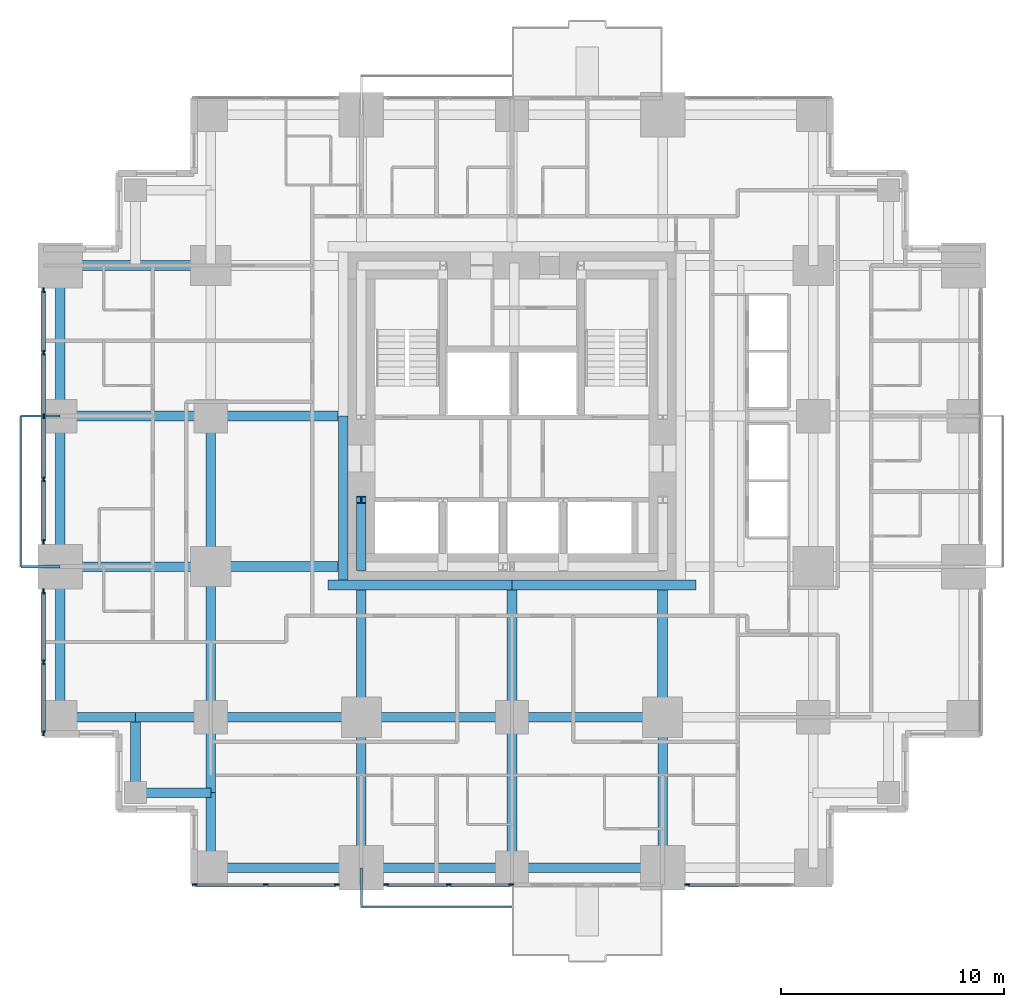
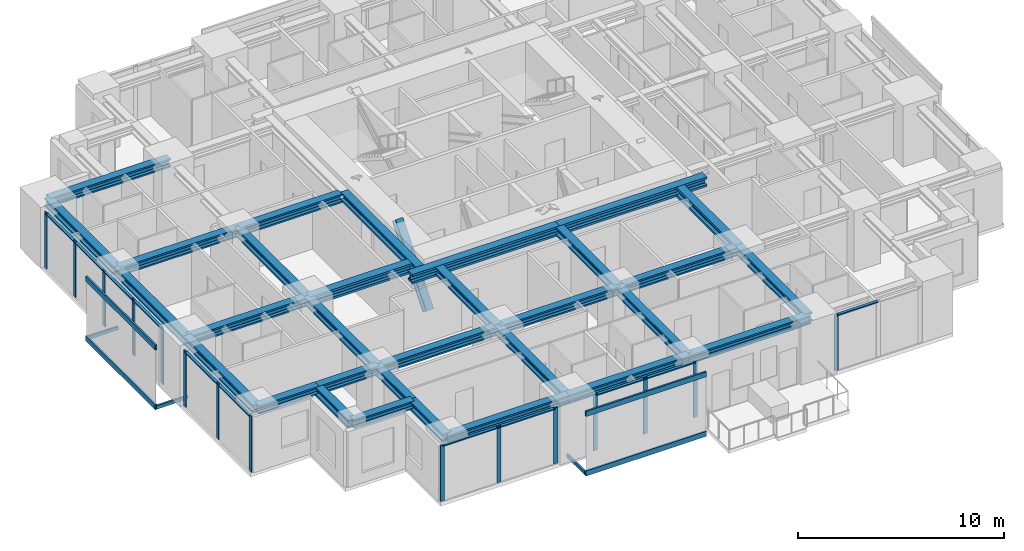
# One storey, part 2 of 12: 34 members, 31 beams, 5 elements without a shape of their own.
"""IFC4 building model written with IfcOpenShell, lengths in metres."""

from ifc_helpers import new_model, si_unit, direction, frame, origin, origin_2d, place, context, subcontext, project, spatial, rectangle, hollow_rectangle, i_section, extrude, material, material_profile, profile_set, type_object, element, aggregate, save


model = new_model("IFC4")

# Units and contexts
model_context = context("Model", 3, precision=1e-05, world=origin(), true_north=direction((0.0, 1.0)))
body_context = subcontext(model_context, "Body", "Model", "MODEL_VIEW")
ifc_project = project(units=[si_unit("LENGTHUNIT", "METRE"), si_unit("AREAUNIT", "SQUARE_METRE"), si_unit("VOLUMEUNIT", "CUBIC_METRE"), si_unit("PLANEANGLEUNIT", "RADIAN"), si_unit("MASSUNIT", "GRAM", prefix="KILO")], contexts=[model_context])

# Site, building, storey
site_placement = place(None, origin())
site = spatial("IfcSite", under=ifc_project, at=site_placement, CompositionType="ELEMENT")
building_placement = place(site_placement, origin())
building = spatial("IfcBuilding", under=site, at=building_placement, Name="Nyansa Garden Tower", CompositionType="ELEMENT")
storey_placement = place(building_placement, frame((0.0, 0.0, 134.10009765625)))
storey = spatial("IfcBuildingStorey", under=building, at=storey_placement, Name="L36", CompositionType="ELEMENT", Elevation=134.10009765625)

# Curtain wall, members
ifc_material_1 = material(Name="Black anodised aluminium, dark tinted double glazing", Category="aluminium")
curtain_wall_type = type_object("IfcCurtainWallType", Name="Inner skin curtain wall ISW-B", PredefinedType="USERDEFINED", material=ifc_material_1)
curtain_wall_1_placement = place(storey_placement, origin())
curtain_wall_1 = element("IfcCurtainWall", 1, at=curtain_wall_1_placement, inside=storey, type_object=curtain_wall_type, Name="Inner skin curtain wall L36 W", ObjectType="UNITISED CURTAIN WALL", PredefinedType="USERDEFINED")
ifc_material_2 = material(Name="Black anodised aluminium", Category="aluminium")
ifc_material_profile_1 = material_profile(ifc_material_2, rectangle(XDim=0.06494140625, YDim=0.22509765625, at=origin_2d()), Name="Mullion 225x65")
ifc_profile_set_1 = profile_set([ifc_material_profile_1], Name="Black anodised aluminium")
member_type_1 = type_object("IfcMemberType", Name="Mullion ISW-B 225x65", PredefinedType="MULLION", material=ifc_profile_set_1)
member_1_placement = place(storey_placement, frame((-0.75, 25.887451171875, 0.0), z_axis=(0.0, 0.0, 1.0), x_axis=(1.0, 0.0, 0.0)))
member_1 = element("IfcMember", 2, at=member_1_placement, type_object=member_type_1, Name="ISW-B mullion 1", PredefinedType="MULLION", context=body_context, shape_type="SweptSolid", body=[
    extrude(rectangle(XDim=0.06494140625, YDim=0.22509765625, at=origin_2d()), origin(), (0.0, 0.0, 1.0), 3.2998046875),
])
member_2_placement = place(storey_placement, frame((-0.75, 23.0849609375, 0.0), z_axis=(0.0, 0.0, 1.0), x_axis=(1.0, 0.0, 0.0)))
member_2 = element("IfcMember", 3, at=member_2_placement, type_object=member_type_1, Name="ISW-B mullion 2", PredefinedType="MULLION", context=body_context, shape_type="SweptSolid", body=[
    extrude(rectangle(XDim=0.06494140625, YDim=0.22509765625, at=origin_2d()), origin(), (0.0, 0.0, 1.0), 3.2998046875),
])
member_3_placement = place(storey_placement, frame((-0.75, 20.25, 0.0), z_axis=(0.0, 0.0, 1.0), x_axis=(1.0, 0.0, 0.0)))
member_3 = element("IfcMember", 4, at=member_3_placement, type_object=member_type_1, Name="ISW-B mullion 3", PredefinedType="MULLION", context=body_context, shape_type="SweptSolid", body=[
    extrude(rectangle(XDim=0.06494140625, YDim=0.22509765625, at=origin_2d()), origin(), (0.0, 0.0, 1.0), 3.2998046875),
])
member_4_placement = place(storey_placement, frame((-0.75, 17.4150390625, 0.0), z_axis=(0.0, 0.0, 1.0), x_axis=(1.0, 0.0, 0.0)))
member_4 = element("IfcMember", 5, at=member_4_placement, type_object=member_type_1, Name="ISW-B mullion 4", PredefinedType="MULLION", context=body_context, shape_type="SweptSolid", body=[
    extrude(rectangle(XDim=0.06494140625, YDim=0.22509765625, at=origin_2d()), origin(), (0.0, 0.0, 1.0), 3.2998046875),
])
member_5_placement = place(storey_placement, frame((-0.75, 14.612548828125, 0.0), z_axis=(0.0, 0.0, 1.0), x_axis=(1.0, 0.0, 0.0)))
member_5 = element("IfcMember", 6, at=member_5_placement, type_object=member_type_1, Name="ISW-B mullion 5", PredefinedType="MULLION", context=body_context, shape_type="SweptSolid", body=[
    extrude(rectangle(XDim=0.06494140625, YDim=0.22509765625, at=origin_2d()), origin(), (0.0, 0.0, 1.0), 3.2998046875),
])

curtain_wall_2_placement = place(storey_placement, origin())
curtain_wall_2 = element("IfcCurtainWall", 7, at=curtain_wall_2_placement, inside=storey, type_object=curtain_wall_type, Name="Inner skin curtain wall L36 W", ObjectType="UNITISED CURTAIN WALL", PredefinedType="USERDEFINED")
member_6_placement = place(storey_placement, frame((-0.75, 12.387451171875, 0.0), z_axis=(0.0, 0.0, 1.0), x_axis=(1.0, 0.0, 0.0)))
member_6 = element("IfcMember", 8, at=member_6_placement, type_object=member_type_1, Name="ISW-B mullion 1", PredefinedType="MULLION", context=body_context, shape_type="SweptSolid", body=[
    extrude(rectangle(XDim=0.06494140625, YDim=0.22509765625, at=origin_2d()), origin(), (0.0, 0.0, 1.0), 3.2998046875),
])
member_7_placement = place(storey_placement, frame((-0.75, 9.2099609375, 0.0), z_axis=(0.0, 0.0, 1.0), x_axis=(1.0, 0.0, 0.0)))
member_7 = element("IfcMember", 9, at=member_7_placement, type_object=member_type_1, Name="ISW-B mullion 2", PredefinedType="MULLION", context=body_context, shape_type="SweptSolid", body=[
    extrude(rectangle(XDim=0.06494140625, YDim=0.22509765625, at=origin_2d()), origin(), (0.0, 0.0, 1.0), 3.2998046875),
])
member_8_placement = place(storey_placement, frame((-0.75, 6.032470703125, 0.0), z_axis=(0.0, 0.0, 1.0), x_axis=(1.0, 0.0, 0.0)))
member_8 = element("IfcMember", 10, at=member_8_placement, type_object=member_type_1, Name="ISW-B mullion 3", PredefinedType="MULLION", context=body_context, shape_type="SweptSolid", body=[
    extrude(rectangle(XDim=0.06494140625, YDim=0.22509765625, at=origin_2d()), origin(), (0.0, 0.0, 1.0), 3.2998046875),
])

curtain_wall_3_placement = place(storey_placement, origin())
curtain_wall_3 = element("IfcCurtainWall", 11, at=curtain_wall_3_placement, inside=storey, type_object=curtain_wall_type, Name="Inner skin curtain wall L36 S", ObjectType="UNITISED CURTAIN WALL", PredefinedType="USERDEFINED")
member_9_placement = place(storey_placement, frame((6.032470703125, -0.75, 0.0), z_axis=(0.0, 0.0, 1.0), x_axis=(0.0, 1.0, 0.0)))
member_9 = element("IfcMember", 12, at=member_9_placement, type_object=member_type_1, Name="ISW-B mullion 1", PredefinedType="MULLION", context=body_context, shape_type="SweptSolid", body=[
    extrude(rectangle(XDim=0.06494140625, YDim=0.22509765625, at=origin_2d()), origin(), (0.0, 0.0, 1.0), 3.2998046875),
])
member_10_placement = place(storey_placement, frame((9.2099609375, -0.75, 0.0), z_axis=(0.0, 0.0, 1.0), x_axis=(0.0, 1.0, 0.0)))
member_10 = element("IfcMember", 13, at=member_10_placement, type_object=member_type_1, Name="ISW-B mullion 2", PredefinedType="MULLION", context=body_context, shape_type="SweptSolid", body=[
    extrude(rectangle(XDim=0.06494140625, YDim=0.22509765625, at=origin_2d()), origin(), (0.0, 0.0, 1.0), 3.2998046875),
])
member_11_placement = place(storey_placement, frame((12.387451171875, -0.75, 0.0), z_axis=(0.0, 0.0, 1.0), x_axis=(0.0, 1.0, 0.0)))
member_11 = element("IfcMember", 14, at=member_11_placement, type_object=member_type_1, Name="ISW-B mullion 3", PredefinedType="MULLION", context=body_context, shape_type="SweptSolid", body=[
    extrude(rectangle(XDim=0.06494140625, YDim=0.22509765625, at=origin_2d()), origin(), (0.0, 0.0, 1.0), 3.2998046875),
])

curtain_wall_4_placement = place(storey_placement, origin())
curtain_wall_4 = element("IfcCurtainWall", 15, at=curtain_wall_4_placement, inside=storey, type_object=curtain_wall_type, Name="Inner skin curtain wall L36 S", ObjectType="UNITISED CURTAIN WALL", PredefinedType="USERDEFINED")
member_12_placement = place(storey_placement, frame((14.612548828125, -0.75, 0.0), z_axis=(0.0, 0.0, 1.0), x_axis=(0.0, 1.0, 0.0)))
member_12 = element("IfcMember", 16, at=member_12_placement, type_object=member_type_1, Name="ISW-B mullion 1", PredefinedType="MULLION", context=body_context, shape_type="SweptSolid", body=[
    extrude(rectangle(XDim=0.06494140625, YDim=0.22509765625, at=origin_2d()), origin(), (0.0, 0.0, 1.0), 3.2998046875),
])
member_13_placement = place(storey_placement, frame((17.4150390625, -0.75, 0.0), z_axis=(0.0, 0.0, 1.0), x_axis=(0.0, 1.0, 0.0)))
member_13 = element("IfcMember", 17, at=member_13_placement, type_object=member_type_1, Name="ISW-B mullion 2", PredefinedType="MULLION", context=body_context, shape_type="SweptSolid", body=[
    extrude(rectangle(XDim=0.06494140625, YDim=0.22509765625, at=origin_2d()), origin(), (0.0, 0.0, 1.0), 3.2998046875),
])
member_14_placement = place(storey_placement, frame((20.217529296875, -0.75, 0.0), z_axis=(0.0, 0.0, 1.0), x_axis=(0.0, 1.0, 0.0)))
member_14 = element("IfcMember", 18, at=member_14_placement, type_object=member_type_1, Name="ISW-B mullion 3", PredefinedType="MULLION", context=body_context, shape_type="SweptSolid", body=[
    extrude(rectangle(XDim=0.06494140625, YDim=0.22509765625, at=origin_2d()), origin(), (0.0, 0.0, 1.0), 3.2998046875),
])

# Curtain wall, member
curtain_wall_5_placement = place(storey_placement, origin())
curtain_wall_5 = element("IfcCurtainWall", 19, at=curtain_wall_5_placement, inside=storey, type_object=curtain_wall_type, Name="Inner skin curtain wall L36 S", ObjectType="UNITISED CURTAIN WALL", PredefinedType="USERDEFINED")
member_15_placement = place(storey_placement, frame((28.112548828125, -0.75, 0.0), z_axis=(0.0, 0.0, 1.0), x_axis=(0.0, 1.0, 0.0)))
member_15 = element("IfcMember", 20, at=member_15_placement, type_object=member_type_1, Name="ISW-B mullion 1", PredefinedType="MULLION", context=body_context, shape_type="SweptSolid", body=[
    extrude(rectangle(XDim=0.06494140625, YDim=0.22509765625, at=origin_2d()), origin(), (0.0, 0.0, 1.0), 3.2998046875),
])

# Members
ifc_material_3 = material(Name="Steel S355, black powder coated", Category="steel")
ifc_material_profile_2 = material_profile(ifc_material_3, hollow_rectangle(XDim=0.10009765625, YDim=0.199951171875, WallThickness=0.008056640625, at=origin_2d()), Name="RHS 200x100x8")
ifc_profile_set_2 = profile_set([ifc_material_profile_2], Name="Steel S355, black powder coated")
member_type_2 = type_object("IfcMemberType", Name="Outer skin bracket arm RHS 200x100x8", PredefinedType="USERDEFINED", material=ifc_profile_set_2)
for number, where, z_axis, x_axis, name in (
    (21, (0.0, 13.5, -0.375), (-1.0, 0.0, 0.0), (0.0, -1.0, 0.0), "Outer skin bracket arm"),
    (22, (0.0, 20.25, -0.375), (-1.0, 0.0, 0.0), (0.0, -1.0, 0.0), "Outer skin bracket arm"),
    (23, (13.5, 0.0, -0.375), (0.0, -1.0, 0.0), (1.0, 0.0, 0.0), "Outer skin bracket arm"),
):
    element("IfcMember", number, at=place(storey_placement, frame(where, z_axis=z_axis, x_axis=x_axis)), inside=storey, type_object=member_type_2, Name=name, ObjectType="OUTER SKIN BRACKET", PredefinedType="USERDEFINED", context=body_context, shape_type="SweptSolid", body=[
        extrude(hollow_rectangle(XDim=0.10009765625, YDim=0.199951171875, WallThickness=0.008056640625, at=origin_2d()), origin(), (0.0, 0.0, 1.0), 1.75),
    ])
ifc_material_4 = material(Name="Steel S355, black powder coated", Category="steel")
ifc_material_profile_3 = material_profile(ifc_material_4, hollow_rectangle(XDim=0.10009765625, YDim=0.300048828125, WallThickness=0.010009765625, at=origin_2d()), Name="RHS 300x100x10")
ifc_profile_set_3 = profile_set([ifc_material_profile_3], Name="Steel S355, black powder coated")
member_type_3 = type_object("IfcMemberType", Name="Outer skin rail RHS 300x100x10", PredefinedType="USERDEFINED", material=ifc_profile_set_3)
for number, where, z_axis, x_axis, name in (
    (24, (-1.75, 13.5, -0.375), (0.0, 1.0, 0.0), (-1.0, 0.0, 0.0), "Outer skin rail L36"),
    (25, (-1.75, 13.5, 3.14990234375), (0.0, 1.0, 0.0), (-1.0, 0.0, 0.0), "Outer skin rail L36 head"),
    (26, (13.5, -1.75, -0.375), (1.0, 0.0, 0.0), (0.0, 1.0, 0.0), "Outer skin rail L36"),
    (27, (13.5, -1.75, 3.14990234375), (1.0, 0.0, 0.0), (0.0, 1.0, 0.0), "Outer skin rail L36 head"),
):
    element("IfcMember", number, at=place(storey_placement, frame(where, z_axis=z_axis, x_axis=x_axis)), inside=storey, type_object=member_type_3, Name=name, ObjectType="OUTER SKIN RAIL", PredefinedType="USERDEFINED", context=body_context, shape_type="SweptSolid", body=[
        extrude(hollow_rectangle(XDim=0.10009765625, YDim=0.300048828125, WallThickness=0.010009765625, at=origin_2d()), origin(), (0.0, 0.0, 1.0), 6.75),
    ])
ifc_material_5 = material(Name="Steel S355", Category="steel")
ifc_material_profile_4 = material_profile(ifc_material_5, i_section(OverallWidth=0.41796875, OverallDepth=0.455078125, WebThickness=0.0419921875, FlangeThickness=0.067626953125, FilletRadius=0.014892578125, at=origin_2d()), Name="HD 400x463")
ifc_profile_set_4 = profile_set([ifc_material_profile_4], Name="Steel S355")
member_type_4 = type_object("IfcMemberType", Name="Perimeter brace HD 400x463", PredefinedType="BRACE", material=ifc_profile_set_4)
member_16_placement = place(storey_placement, frame((13.5, 13.5, 0.0), z_axis=(0.0, 0.640199773186, 0.768208468069), x_axis=(-1.0, 0.0, 0.0)))
element("IfcMember", 28, at=member_16_placement, inside=storey, type_object=member_type_4, Name="Core brace CW5 L36", PredefinedType="BRACE", context=body_context, shape_type="SweptSolid", body=[
    extrude(i_section(OverallWidth=0.41796875, OverallDepth=0.455078125, WebThickness=0.0419921875, FlangeThickness=0.067626953125, FilletRadius=0.014892578125, at=origin_2d()), origin(), (0.0, 0.0, 1.0), 4.68603515625),
])

# Beams
ifc_material_6 = material(Name="Steel S355", Category="steel")
ifc_material_profile_5 = material_profile(ifc_material_6, i_section(OverallWidth=0.431884765625, OverallDepth=0.498046875, WebThickness=0.0556640625, FlangeThickness=0.0888671875, FilletRadius=0.014892578125, at=origin_2d()), Name="HD 400x744")
ifc_profile_set_5 = profile_set([ifc_material_profile_5], Name="Steel S355")
beam_type_1 = type_object("IfcBeamType", Name="Steel beam SBB2-744 HD 400x744", PredefinedType="BEAM", material=ifc_profile_set_5)
beam_1_placement = place(storey_placement, frame((0.0, 20.25, 3.05078125), z_axis=(1.0, 0.0, 0.0), x_axis=(0.0, 1.0, 0.0)))
element("IfcBeam", 29, at=beam_1_placement, inside=storey, type_object=beam_type_1, Name="Steel beam 2/G-3/G L37", PredefinedType="BEAM", context=body_context, shape_type="SweptSolid", body=[
    extrude(i_section(OverallWidth=0.431884765625, OverallDepth=0.498046875, WebThickness=0.0556640625, FlangeThickness=0.0888671875, FilletRadius=0.014892578125, at=origin_2d()), origin(), (0.0, 0.0, 1.0), 6.75),
])
for number, where, z_axis, x_axis, name in (
    (30, (3.375, 6.75, 3.05078125), (1.0, 0.0, 0.0), (0.0, 1.0, 0.0), "Steel beam 3.375/E-3/E L37"),
    (31, (6.75, 3.375, 3.05078125), (0.0, 1.0, 0.0), (-1.0, 0.0, 0.0), "Steel beam 3/3.375-3/E L37"),
):
    element("IfcBeam", number, at=place(storey_placement, frame(where, z_axis=z_axis, x_axis=x_axis)), inside=storey, type_object=beam_type_1, Name=name, PredefinedType="BEAM", context=body_context, shape_type="SweptSolid", body=[
        extrude(i_section(OverallWidth=0.431884765625, OverallDepth=0.498046875, WebThickness=0.0556640625, FlangeThickness=0.0888671875, FilletRadius=0.014892578125, at=origin_2d()), origin(), (0.0, 0.0, 1.0), 3.375),
    ])
for number, where, z_axis, x_axis, name in (
    (32, (6.75, 6.75, 3.05078125), (0.0, 1.0, 0.0), (-1.0, 0.0, 0.0), "Steel beam 3/E-3/F L37"),
    (33, (6.75, 6.75, 3.05078125), (1.0, 0.0, 0.0), (0.0, 1.0, 0.0), "Steel beam 3/E-4/E L37"),
    (34, (6.75, 13.5, 3.05078125), (0.0, 1.0, 0.0), (-1.0, 0.0, 0.0), "Steel beam 3/F-3/G L37"),
):
    element("IfcBeam", number, at=place(storey_placement, frame(where, z_axis=z_axis, x_axis=x_axis)), inside=storey, type_object=beam_type_1, Name=name, PredefinedType="BEAM", context=body_context, shape_type="SweptSolid", body=[
        extrude(i_section(OverallWidth=0.431884765625, OverallDepth=0.498046875, WebThickness=0.0556640625, FlangeThickness=0.0888671875, FilletRadius=0.014892578125, at=origin_2d()), origin(), (0.0, 0.0, 1.0), 6.75),
    ])
beam_2_placement = place(storey_placement, frame((6.75, 20.25, 3.05078125), z_axis=(1.0, 0.0, 0.0), x_axis=(0.0, 1.0, 0.0)))
element("IfcBeam", 35, at=beam_2_placement, inside=storey, type_object=beam_type_1, Name="Steel beam 3/G-12.450/G L37", PredefinedType="BEAM", context=body_context, shape_type="SweptSolid", body=[
    extrude(i_section(OverallWidth=0.431884765625, OverallDepth=0.498046875, WebThickness=0.0556640625, FlangeThickness=0.0888671875, FilletRadius=0.014892578125, at=origin_2d()), origin(), (0.0, 0.0, 1.0), 5.699951171875),
])
for number, where, z_axis, x_axis, name in (
    (36, (13.5, 6.75, 3.05078125), (1.0, 0.0, 0.0), (0.0, 1.0, 0.0), "Steel beam 4/E-5/E L37"),
    (37, (20.25, 0.0, 3.05078125), (0.0, 1.0, 0.0), (-1.0, 0.0, 0.0), "Steel beam 5/D-5/E L37"),
):
    element("IfcBeam", number, at=place(storey_placement, frame(where, z_axis=z_axis, x_axis=x_axis)), inside=storey, type_object=beam_type_1, Name=name, PredefinedType="BEAM", context=body_context, shape_type="SweptSolid", body=[
        extrude(i_section(OverallWidth=0.431884765625, OverallDepth=0.498046875, WebThickness=0.0556640625, FlangeThickness=0.0888671875, FilletRadius=0.014892578125, at=origin_2d()), origin(), (0.0, 0.0, 1.0), 6.75),
    ])
beam_3_placement = place(storey_placement, frame((20.25, 6.75, 3.05078125), z_axis=(0.0, 1.0, 0.0), x_axis=(-1.0, 0.0, 0.0)))
element("IfcBeam", 38, at=beam_3_placement, inside=storey, type_object=beam_type_1, Name="Steel beam 5/E-5/12.450 L37", PredefinedType="BEAM", context=body_context, shape_type="SweptSolid", body=[
    extrude(i_section(OverallWidth=0.431884765625, OverallDepth=0.498046875, WebThickness=0.0556640625, FlangeThickness=0.0888671875, FilletRadius=0.014892578125, at=origin_2d()), origin(), (0.0, 0.0, 1.0), 5.699951171875),
])
beam_4_placement = place(storey_placement, frame((20.25, 6.75, 3.05078125), z_axis=(1.0, 0.0, 0.0), x_axis=(0.0, 1.0, 0.0)))
element("IfcBeam", 39, at=beam_4_placement, inside=storey, type_object=beam_type_1, Name="Steel beam 5/E-6/E L37", PredefinedType="BEAM", context=body_context, shape_type="SweptSolid", body=[
    extrude(i_section(OverallWidth=0.431884765625, OverallDepth=0.498046875, WebThickness=0.0556640625, FlangeThickness=0.0888671875, FilletRadius=0.014892578125, at=origin_2d()), origin(), (0.0, 0.0, 1.0), 6.75),
])
ifc_material_7 = material(Name="Steel S355", Category="steel")
ifc_material_profile_6 = material_profile(ifc_material_7, i_section(OverallWidth=0.431884765625, OverallDepth=0.498046875, WebThickness=0.0556640625, FlangeThickness=0.0888671875, FilletRadius=0.014892578125, at=origin_2d()), Name="HD 400x744")
ifc_profile_set_6 = profile_set([ifc_material_profile_6], Name="Steel S355")
beam_type_2 = type_object("IfcBeamType", Name="Steel beam SEBB-744 HD 400x744", PredefinedType="BEAM", material=ifc_profile_set_6)
for number, where, z_axis, x_axis, name in (
    (40, (0.0, 6.75, 3.05078125), (0.0, 1.0, 0.0), (-1.0, 0.0, 0.0), "Steel edge beam 2/E-2/F L37"),
    (41, (0.0, 13.5, 3.05078125), (0.0, 1.0, 0.0), (-1.0, 0.0, 0.0), "Steel edge beam 2/F-2/G L37"),
    (42, (0.0, 20.25, 3.05078125), (0.0, 1.0, 0.0), (-1.0, 0.0, 0.0), "Steel edge beam 2/G-2/H L37"),
    (43, (6.75, 0.0, 3.05078125), (1.0, 0.0, 0.0), (0.0, 1.0, 0.0), "Steel edge beam 3/D-4/D L37"),
    (44, (13.5, 0.0, 3.05078125), (1.0, 0.0, 0.0), (0.0, 1.0, 0.0), "Steel edge beam 4/D-5/D L37"),
    (45, (20.25, 0.0, 3.05078125), (1.0, 0.0, 0.0), (0.0, 1.0, 0.0), "Steel edge beam 5/D-6/D L37"),
):
    element("IfcBeam", number, at=place(storey_placement, frame(where, z_axis=z_axis, x_axis=x_axis)), inside=storey, type_object=beam_type_2, Name=name, PredefinedType="BEAM", context=body_context, shape_type="SweptSolid", body=[
        extrude(i_section(OverallWidth=0.431884765625, OverallDepth=0.498046875, WebThickness=0.0556640625, FlangeThickness=0.0888671875, FilletRadius=0.014892578125, at=origin_2d()), origin(), (0.0, 0.0, 1.0), 6.75),
    ])
ifc_material_8 = material(Name="Steel S355", Category="steel")
ifc_material_profile_7 = material_profile(ifc_material_8, i_section(OverallWidth=0.431884765625, OverallDepth=0.498046875, WebThickness=0.0556640625, FlangeThickness=0.0888671875, FilletRadius=0.014892578125, at=origin_2d()), Name="HD 400x744")
ifc_profile_set_7 = profile_set([ifc_material_profile_7], Name="Steel S355")
beam_type_3 = type_object("IfcBeamType", Name="Steel beam SEBB2-744 HD 400x744", PredefinedType="BEAM", material=ifc_profile_set_7)
for number, where, z_axis, x_axis, name in (
    (46, (0.0, 6.75, 3.05078125), (1.0, 0.0, 0.0), (0.0, 1.0, 0.0), "Steel edge beam 2/E-3.375/E L37"),
    (47, (6.75, 0.0, 3.05078125), (0.0, 1.0, 0.0), (-1.0, 0.0, 0.0), "Steel edge beam 3/D-3/3.375 L37"),
):
    element("IfcBeam", number, at=place(storey_placement, frame(where, z_axis=z_axis, x_axis=x_axis)), inside=storey, type_object=beam_type_3, Name=name, PredefinedType="BEAM", context=body_context, shape_type="SweptSolid", body=[
        extrude(i_section(OverallWidth=0.431884765625, OverallDepth=0.498046875, WebThickness=0.0556640625, FlangeThickness=0.0888671875, FilletRadius=0.014892578125, at=origin_2d()), origin(), (0.0, 0.0, 1.0), 3.375),
    ])
ifc_material_9 = material(Name="Steel S355", Category="steel")
ifc_material_profile_8 = material_profile(ifc_material_9, i_section(OverallWidth=0.4541015625, OverallDepth=0.569091796875, WebThickness=0.077880859375, FlangeThickness=0.125, FilletRadius=0.014892578125, at=origin_2d()), Name="HD 400x1086")
ifc_profile_set_8 = profile_set([ifc_material_profile_8], Name="Steel S355")
beam_type_4 = type_object("IfcBeamType", Name="Steel beam SLB1-1086 HD 400x1086", PredefinedType="BEAM", material=ifc_profile_set_8)
for number, where, z_axis, x_axis, name in (
    (48, (12.0, 12.673095703125, 3.015380859375), (1.0, 0.0, 0.0), (0.0, 1.0, 0.0), "Steel core ledger beam S.1 L37"),
    (49, (20.25, 12.673095703125, 3.015380859375), (1.0, 0.0, 0.0), (0.0, 1.0, 0.0), "Steel core ledger beam S.2 L37"),
):
    element("IfcBeam", number, at=place(storey_placement, frame(where, z_axis=z_axis, x_axis=x_axis)), inside=storey, type_object=beam_type_4, Name=name, PredefinedType="BEAM", context=body_context, shape_type="SweptSolid", body=[
        extrude(i_section(OverallWidth=0.4541015625, OverallDepth=0.569091796875, WebThickness=0.077880859375, FlangeThickness=0.125, FilletRadius=0.014892578125, at=origin_2d()), origin(), (0.0, 0.0, 1.0), 8.25),
    ])
ifc_material_10 = material(Name="Steel S355", Category="steel")
ifc_material_profile_9 = material_profile(ifc_material_10, i_section(OverallWidth=0.431884765625, OverallDepth=0.498046875, WebThickness=0.0556640625, FlangeThickness=0.0888671875, FilletRadius=0.014892578125, at=origin_2d()), Name="HD 400x744")
ifc_profile_set_9 = profile_set([ifc_material_profile_9], Name="Steel S355")
beam_type_5 = type_object("IfcBeamType", Name="Steel beam SLB1-744 HD 400x744", PredefinedType="BEAM", material=ifc_profile_set_9)
beam_5_placement = place(storey_placement, frame((12.68408203125, 20.25, 3.05078125), z_axis=(0.0, -1.0, 0.0), x_axis=(1.0, 0.0, 0.0)))
element("IfcBeam", 50, at=beam_5_placement, inside=storey, type_object=beam_type_5, Name="Steel core ledger beam W.2 L37", PredefinedType="BEAM", context=body_context, shape_type="SweptSolid", body=[
    extrude(i_section(OverallWidth=0.431884765625, OverallDepth=0.498046875, WebThickness=0.0556640625, FlangeThickness=0.0888671875, FilletRadius=0.014892578125, at=origin_2d()), origin(), (0.0, 0.0, 1.0), 7.35009765625),
])
ifc_material_11 = material(Name="Steel S355", Category="steel")
ifc_material_profile_10 = material_profile(ifc_material_11, i_section(OverallWidth=0.4541015625, OverallDepth=0.569091796875, WebThickness=0.077880859375, FlangeThickness=0.125, FilletRadius=0.014892578125, at=origin_2d()), Name="HD 400x1086")
ifc_profile_set_10 = profile_set([ifc_material_profile_10], Name="Steel S355")
beam_type_6 = type_object("IfcBeamType", Name="Steel beam SOC1-1086 HD 400x1086", PredefinedType="BEAM", material=ifc_profile_set_10)
for number, where, z_axis, x_axis, name in (
    (51, (6.75, 13.5, 3.015380859375), (1.0, 0.0, 0.0), (0.0, 1.0, 0.0), "Steel beam 3/F-12.450/F L37"),
    (52, (27.0, 6.75, 3.015380859375), (0.0, 1.0, 0.0), (-1.0, 0.0, 0.0), "Steel beam 6/E-6/12.450 L37"),
):
    element("IfcBeam", number, at=place(storey_placement, frame(where, z_axis=z_axis, x_axis=x_axis)), inside=storey, type_object=beam_type_6, Name=name, PredefinedType="BEAM", context=body_context, shape_type="SweptSolid", body=[
        extrude(i_section(OverallWidth=0.4541015625, OverallDepth=0.569091796875, WebThickness=0.077880859375, FlangeThickness=0.125, FilletRadius=0.014892578125, at=origin_2d()), origin(), (0.0, 0.0, 1.0), 5.699951171875),
    ])
ifc_material_12 = material(Name="Steel S355", Category="steel")
ifc_material_profile_11 = material_profile(ifc_material_12, i_section(OverallWidth=0.431884765625, OverallDepth=0.498046875, WebThickness=0.0556640625, FlangeThickness=0.0888671875, FilletRadius=0.014892578125, at=origin_2d()), Name="HD 400x744")
ifc_profile_set_11 = profile_set([ifc_material_profile_11], Name="Steel S355")
beam_type_7 = type_object("IfcBeamType", Name="Steel beam SOC1-744 HD 400x744", PredefinedType="BEAM", material=ifc_profile_set_11)
for number, where, z_axis, x_axis, name in (
    (53, (0.0, 13.5, 3.05078125), (1.0, 0.0, 0.0), (0.0, 1.0, 0.0), "Steel beam 2/F-3/F L37"),
    (54, (0.0, 27.0, 3.05078125), (1.0, 0.0, 0.0), (0.0, 1.0, 0.0), "Steel beam 2/H-3/H L37"),
    (55, (13.5, 0.0, 3.05078125), (0.0, 1.0, 0.0), (-1.0, 0.0, 0.0), "Steel beam 4/D-4/E L37"),
):
    element("IfcBeam", number, at=place(storey_placement, frame(where, z_axis=z_axis, x_axis=x_axis)), inside=storey, type_object=beam_type_7, Name=name, PredefinedType="BEAM", context=body_context, shape_type="SweptSolid", body=[
        extrude(i_section(OverallWidth=0.431884765625, OverallDepth=0.498046875, WebThickness=0.0556640625, FlangeThickness=0.0888671875, FilletRadius=0.014892578125, at=origin_2d()), origin(), (0.0, 0.0, 1.0), 6.75),
    ])
beam_6_placement = place(storey_placement, frame((13.5, 6.75, 3.05078125), z_axis=(0.0, 1.0, 0.0), x_axis=(-1.0, 0.0, 0.0)))
element("IfcBeam", 56, at=beam_6_placement, inside=storey, type_object=beam_type_7, Name="Steel beam 4/E-4/12.450 L37", PredefinedType="BEAM", context=body_context, shape_type="SweptSolid", body=[
    extrude(i_section(OverallWidth=0.431884765625, OverallDepth=0.498046875, WebThickness=0.0556640625, FlangeThickness=0.0888671875, FilletRadius=0.014892578125, at=origin_2d()), origin(), (0.0, 0.0, 1.0), 5.699951171875),
])
beam_7_placement = place(storey_placement, frame((27.0, 0.0, 3.05078125), z_axis=(0.0, 1.0, 0.0), x_axis=(-1.0, 0.0, 0.0)))
element("IfcBeam", 57, at=beam_7_placement, inside=storey, type_object=beam_type_7, Name="Steel beam 6/D-6/E L37", PredefinedType="BEAM", context=body_context, shape_type="SweptSolid", body=[
    extrude(i_section(OverallWidth=0.431884765625, OverallDepth=0.498046875, WebThickness=0.0556640625, FlangeThickness=0.0888671875, FilletRadius=0.014892578125, at=origin_2d()), origin(), (0.0, 0.0, 1.0), 6.75),
])
ifc_material_13 = material(Name="Steel S355", Category="steel")
ifc_material_profile_12 = material_profile(ifc_material_13, i_section(OverallWidth=0.431884765625, OverallDepth=0.498046875, WebThickness=0.0556640625, FlangeThickness=0.0888671875, FilletRadius=0.014892578125, at=origin_2d()), Name="HD 400x744")
ifc_profile_set_12 = profile_set([ifc_material_profile_12], Name="Steel S355")
beam_type_8 = type_object("IfcBeamType", Name="Steel beam SSB1-744 HD 400x744", PredefinedType="BEAM", material=ifc_profile_set_12)
for number, where, z_axis, x_axis, name in (
    (58, (3.375, 3.375, 3.05078125), (0.0, 1.0, 0.0), (-1.0, 0.0, 0.0), "Steel step beam 3.375/3.375 L37"),
    (59, (3.375, 3.375, 3.05078125), (1.0, 0.0, 0.0), (0.0, 1.0, 0.0), "Steel step beam 3.375/3.375 L37"),
):
    element("IfcBeam", number, at=place(storey_placement, frame(where, z_axis=z_axis, x_axis=x_axis)), inside=storey, type_object=beam_type_8, Name=name, PredefinedType="BEAM", context=body_context, shape_type="SweptSolid", body=[
        extrude(i_section(OverallWidth=0.431884765625, OverallDepth=0.498046875, WebThickness=0.0556640625, FlangeThickness=0.0888671875, FilletRadius=0.014892578125, at=origin_2d()), origin(), (0.0, 0.0, 1.0), 3.375),
    ])

# Member
ifc_material_14 = material(Name="Black anodised aluminium", Category="aluminium")
ifc_material_profile_13 = material_profile(ifc_material_14, rectangle(XDim=0.1650390625, YDim=0.06494140625, at=origin_2d()), Name="Transom 165x65")
ifc_profile_set_13 = profile_set([ifc_material_profile_13], Name="Black anodised aluminium")
member_type_5 = type_object("IfcMemberType", Name="Transom ISW-B 165x65", PredefinedType="USERDEFINED", material=ifc_profile_set_13)
member_17_placement = place(storey_placement, frame((-0.75, 25.85498046875, 3.267333984375), z_axis=(0.0, -1.0, 0.0), x_axis=(1.0, 0.0, 0.0)))
member_17 = element("IfcMember", 60, at=member_17_placement, type_object=member_type_5, Name="ISW-B transom 1", ObjectType="TRANSOM", PredefinedType="USERDEFINED", context=body_context, shape_type="SweptSolid", body=[
    extrude(rectangle(XDim=0.1650390625, YDim=0.06494140625, at=origin_2d()), origin(), (0.0, 0.0, 1.0), 2.737548828125),
])

member_18_placement = place(storey_placement, frame((-0.75, 23.052490234375, 3.267333984375), z_axis=(0.0, -1.0, 0.0), x_axis=(1.0, 0.0, 0.0)))
member_18 = element("IfcMember", 61, at=member_18_placement, type_object=member_type_5, Name="ISW-B transom 2", ObjectType="TRANSOM", PredefinedType="USERDEFINED", context=body_context, shape_type="SweptSolid", body=[
    extrude(rectangle(XDim=0.1650390625, YDim=0.06494140625, at=origin_2d()), origin(), (0.0, 0.0, 1.0), 2.77001953125),
])

member_19_placement = place(storey_placement, frame((-0.75, 20.217529296875, 3.267333984375), z_axis=(0.0, -1.0, 0.0), x_axis=(1.0, 0.0, 0.0)))
member_19 = element("IfcMember", 62, at=member_19_placement, type_object=member_type_5, Name="ISW-B transom 3", ObjectType="TRANSOM", PredefinedType="USERDEFINED", context=body_context, shape_type="SweptSolid", body=[
    extrude(rectangle(XDim=0.1650390625, YDim=0.06494140625, at=origin_2d()), origin(), (0.0, 0.0, 1.0), 2.77001953125),
])

member_20_placement = place(storey_placement, frame((-0.75, 17.382568359375, 3.267333984375), z_axis=(0.0, -1.0, 0.0), x_axis=(1.0, 0.0, 0.0)))
member_20 = element("IfcMember", 63, at=member_20_placement, type_object=member_type_5, Name="ISW-B transom 4", ObjectType="TRANSOM", PredefinedType="USERDEFINED", context=body_context, shape_type="SweptSolid", body=[
    extrude(rectangle(XDim=0.1650390625, YDim=0.06494140625, at=origin_2d()), origin(), (0.0, 0.0, 1.0), 2.737548828125),
])

aggregate(curtain_wall_1, [member_1, member_2, member_3, member_4, member_5, member_17, member_18, member_19, member_20])

member_21_placement = place(storey_placement, frame((-0.75, 12.35498046875, 3.267333984375), z_axis=(0.0, -1.0, 0.0), x_axis=(1.0, 0.0, 0.0)))
member_21 = element("IfcMember", 64, at=member_21_placement, type_object=member_type_5, Name="ISW-B transom 1", ObjectType="TRANSOM", PredefinedType="USERDEFINED", context=body_context, shape_type="SweptSolid", body=[
    extrude(rectangle(XDim=0.1650390625, YDim=0.06494140625, at=origin_2d()), origin(), (0.0, 0.0, 1.0), 3.112548828125),
])

member_22_placement = place(storey_placement, frame((-0.75, 9.177490234375, 3.267333984375), z_axis=(0.0, -1.0, 0.0), x_axis=(1.0, 0.0, 0.0)))
member_22 = element("IfcMember", 65, at=member_22_placement, type_object=member_type_5, Name="ISW-B transom 2", ObjectType="TRANSOM", PredefinedType="USERDEFINED", context=body_context, shape_type="SweptSolid", body=[
    extrude(rectangle(XDim=0.1650390625, YDim=0.06494140625, at=origin_2d()), origin(), (0.0, 0.0, 1.0), 3.112548828125),
])

aggregate(curtain_wall_2, [member_6, member_7, member_8, member_21, member_22])

member_23_placement = place(storey_placement, frame((6.06494140625, -0.75, 3.267333984375), z_axis=(1.0, 0.0, 0.0), x_axis=(0.0, 1.0, 0.0)))
member_23 = element("IfcMember", 66, at=member_23_placement, type_object=member_type_5, Name="ISW-B transom 1", ObjectType="TRANSOM", PredefinedType="USERDEFINED", context=body_context, shape_type="SweptSolid", body=[
    extrude(rectangle(XDim=0.1650390625, YDim=0.06494140625, at=origin_2d()), origin(), (0.0, 0.0, 1.0), 3.112548828125),
])

member_24_placement = place(storey_placement, frame((9.242431640625, -0.75, 3.267333984375), z_axis=(1.0, 0.0, 0.0), x_axis=(0.0, 1.0, 0.0)))
member_24 = element("IfcMember", 67, at=member_24_placement, type_object=member_type_5, Name="ISW-B transom 2", ObjectType="TRANSOM", PredefinedType="USERDEFINED", context=body_context, shape_type="SweptSolid", body=[
    extrude(rectangle(XDim=0.1650390625, YDim=0.06494140625, at=origin_2d()), origin(), (0.0, 0.0, 1.0), 3.112548828125),
])

aggregate(curtain_wall_3, [member_9, member_10, member_11, member_23, member_24])

member_25_placement = place(storey_placement, frame((14.64501953125, -0.75, 3.267333984375), z_axis=(1.0, 0.0, 0.0), x_axis=(0.0, 1.0, 0.0)))
member_25 = element("IfcMember", 68, at=member_25_placement, type_object=member_type_5, Name="ISW-B transom 1", ObjectType="TRANSOM", PredefinedType="USERDEFINED", context=body_context, shape_type="SweptSolid", body=[
    extrude(rectangle(XDim=0.1650390625, YDim=0.06494140625, at=origin_2d()), origin(), (0.0, 0.0, 1.0), 2.737548828125),
])

member_26_placement = place(storey_placement, frame((17.447509765625, -0.75, 3.267333984375), z_axis=(1.0, 0.0, 0.0), x_axis=(0.0, 1.0, 0.0)))
member_26 = element("IfcMember", 69, at=member_26_placement, type_object=member_type_5, Name="ISW-B transom 2", ObjectType="TRANSOM", PredefinedType="USERDEFINED", context=body_context, shape_type="SweptSolid", body=[
    extrude(rectangle(XDim=0.1650390625, YDim=0.06494140625, at=origin_2d()), origin(), (0.0, 0.0, 1.0), 2.737548828125),
])

aggregate(curtain_wall_4, [member_12, member_13, member_14, member_25, member_26])

member_27_placement = place(storey_placement, frame((28.14501953125, -0.75, 3.267333984375), z_axis=(1.0, 0.0, 0.0), x_axis=(0.0, 1.0, 0.0)))
member_27 = element("IfcMember", 70, at=member_27_placement, type_object=member_type_5, Name="ISW-B transom 1", ObjectType="TRANSOM", PredefinedType="USERDEFINED", context=body_context, shape_type="SweptSolid", body=[
    extrude(rectangle(XDim=0.1650390625, YDim=0.06494140625, at=origin_2d()), origin(), (0.0, 0.0, 1.0), 2.2724609375),
])

aggregate(curtain_wall_5, [member_15, member_27])

save(model, "model.ifc")
